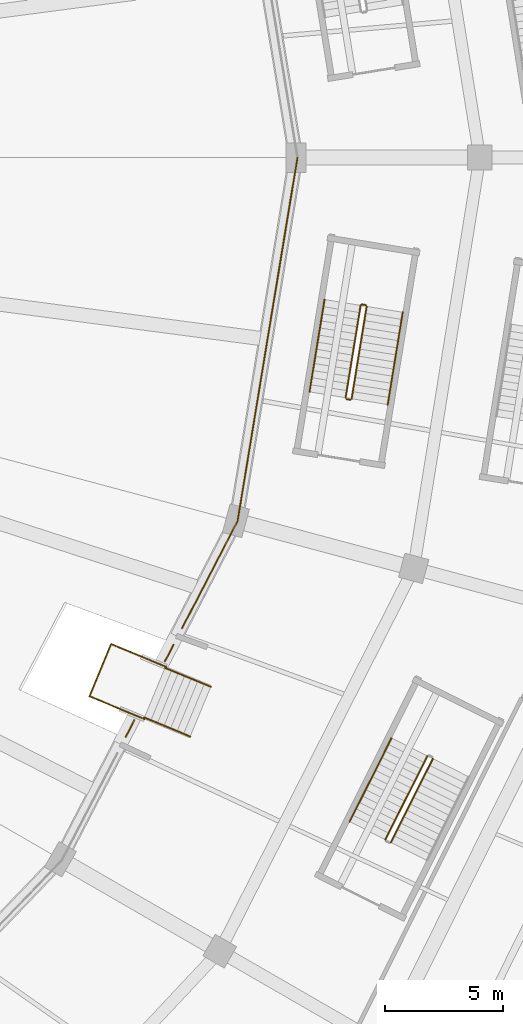
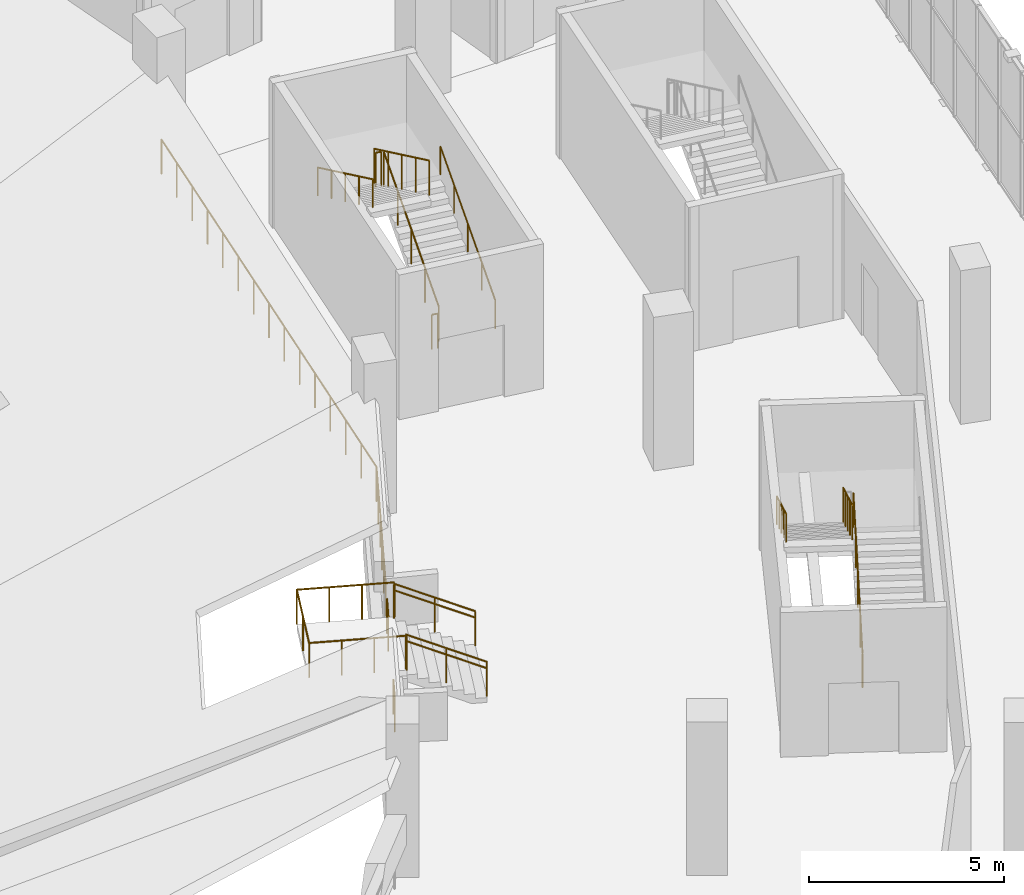
# One storey, part 152 of 183: 20 railings.
"""IFC4 building model written with IfcOpenShell, lengths in metres."""

from ifc_helpers import new_model, si_unit, direction, frame, origin, origin_2d, place, context, subcontext, project, spatial, circle, extrude, material, type_object, element, save


model = new_model("IFC4")

# Units and contexts
model_context = context("Model", 3, precision=1e-05, world=origin(), true_north=direction((0.0, 1.0)))
body_context = subcontext(model_context, "Body", "Model", "MODEL_VIEW")
ifc_project = project(units=[si_unit("LENGTHUNIT", "METRE"), si_unit("AREAUNIT", "SQUARE_METRE"), si_unit("VOLUMEUNIT", "CUBIC_METRE"), si_unit("PLANEANGLEUNIT", "RADIAN"), si_unit("MASSUNIT", "GRAM", prefix="KILO")], contexts=[model_context])

# Site, building, storey
site_placement = place(None, origin())
site = spatial("IfcSite", under=ifc_project, at=site_placement, CompositionType="ELEMENT")
building_placement = place(site_placement, origin())
building = spatial("IfcBuilding", under=site, at=building_placement, Name="Zevraka Park Crest Stadium", CompositionType="ELEMENT")
storey_placement = place(building_placement, frame((0.0, 0.0, 5.39990234375)))
storey = spatial("IfcBuildingStorey", under=building, at=storey_placement, Name="L01", CompositionType="ELEMENT", Elevation=5.39990234375)

# Railings
ifc_material_1 = material(Name="Galvanised and bronze-finished steel balustrade", Category="steel")
railing_type_1 = type_object("IfcRailingType", Name="GR01", PredefinedType="GUARDRAIL", material=ifc_material_1)
railing_1_placement = place(storey_placement, frame((179.2919921875, 67.446044921875, 0.0)))
element("IfcRailing", 1, at=railing_1_placement, inside=storey, type_object=railing_type_1, Name="Deck Edge Protection Guardrail GR01 L01-72", PredefinedType="GUARDRAIL", context=body_context, shape_type="SweptSolid", body=[
    extrude(circle(Radius=0.02392578125, at=origin_2d()), frame((0.0, 0.0, 1.076171875), z_axis=(0.46081061424, 0.887498494536, 0.0), x_axis=(-0.887498494536, 0.46081061424, 0.0)), (0.0, 0.0, 1.0), 0.794189453125),
    extrude(circle(Radius=0.02099609375, at=origin_2d()), origin(), (0.0, 0.0, 1.0), 1.052001953125),
    extrude(circle(Radius=0.02099609375, at=origin_2d()), frame((0.365966796875, 0.704833984375, 0.0)), (0.0, 0.0, 1.0), 1.052001953125),
])
railing_2_placement = place(storey_placement, frame((180.951904296875, 70.64599609375, 0.0)))
element("IfcRailing", 2, at=railing_2_placement, inside=storey, type_object=railing_type_1, Name="Deck Edge Protection Guardrail GR01 L01-73", PredefinedType="GUARDRAIL", context=body_context, shape_type="SweptSolid", body=[
    extrude(circle(Radius=0.02392578125, at=origin_2d()), frame((0.0, 0.0, 1.076171875), z_axis=(0.460380253087, 0.88772181598, 0.0), x_axis=(-0.88772181598, 0.460380253087, 0.0)), (0.0, 0.0, 1.0), 0.790771484375),
    extrude(circle(Radius=0.02099609375, at=origin_2d()), origin(), (0.0, 0.0, 1.0), 1.052001953125),
    extrude(circle(Radius=0.02099609375, at=origin_2d()), frame((0.364013671875, 0.701904296875, 0.0)), (0.0, 0.0, 1.0), 1.052001953125),
])
railing_3_placement = place(storey_placement, frame((181.677978515625, 72.0458984375, 0.0)))
element("IfcRailing", 3, at=railing_3_placement, inside=storey, type_object=railing_type_1, Name="Deck Edge Protection Guardrail GR01 L01-74", PredefinedType="GUARDRAIL", context=body_context, shape_type="SweptSolid", body=[
    extrude(circle(Radius=0.02392578125, at=origin_2d()), frame((0.0, 0.0, 1.076171875), z_axis=(0.459846182359, 0.887998585905, 0.0), x_axis=(-0.887998585905, 0.459846182359, 0.0)), (0.0, 0.0, 1.0), 5.11474609375),
    extrude(circle(Radius=0.02099609375, at=origin_2d()), origin(), (0.0, 0.0, 1.0), 1.052001953125),
    extrude(circle(Radius=0.02099609375, at=origin_2d()), frame((0.470458984375, 0.908447265625, 0.0)), (0.0, 0.0, 1.0), 1.052001953125),
    extrude(circle(Radius=0.02099609375, at=origin_2d()), frame((0.94091796875, 1.81689453125, 0.0)), (0.0, 0.0, 1.0), 1.052001953125),
    extrude(circle(Radius=0.02099609375, at=origin_2d()), frame((1.4111328125, 2.72509765625, 0.0)), (0.0, 0.0, 1.0), 1.052001953125),
    extrude(circle(Radius=0.02099609375, at=origin_2d()), frame((1.881591796875, 3.633544921875, 0.0)), (0.0, 0.0, 1.0), 1.052001953125),
    extrude(circle(Radius=0.02099609375, at=origin_2d()), frame((2.35205078125, 4.5419921875, 0.0)), (0.0, 0.0, 1.0), 1.052001953125),
])
railing_4_placement = place(storey_placement, frame((184.030029296875, 76.587890625, 0.0)))
element("IfcRailing", 4, at=railing_4_placement, inside=storey, type_object=railing_type_1, Name="Deck Edge Protection Guardrail GR01 L01-75", PredefinedType="GUARDRAIL", context=body_context, shape_type="SweptSolid", body=[
    extrude(circle(Radius=0.02392578125, at=origin_2d()), frame((0.0, 0.0, 1.076171875), z_axis=(0.162583586592, 0.986694774168, 0.0), x_axis=(-0.986694774168, 0.162583586592, 0.0)), (0.0, 0.0, 1.0), 15.616943359375),
    extrude(circle(Radius=0.02099609375, at=origin_2d()), origin(), (0.0, 0.0, 1.0), 1.052001953125),
    extrude(circle(Radius=0.02099609375, at=origin_2d()), frame((0.181396484375, 1.1005859375, 0.0)), (0.0, 0.0, 1.0), 1.052001953125),
    extrude(circle(Radius=0.02099609375, at=origin_2d()), frame((0.36279296875, 2.201416015625, 0.0)), (0.0, 0.0, 1.0), 1.052001953125),
    extrude(circle(Radius=0.02099609375, at=origin_2d()), frame((0.544189453125, 3.302001953125, 0.0)), (0.0, 0.0, 1.0), 1.052001953125),
    extrude(circle(Radius=0.02099609375, at=origin_2d()), frame((0.725341796875, 4.402587890625, 0.0)), (0.0, 0.0, 1.0), 1.052001953125),
    extrude(circle(Radius=0.02099609375, at=origin_2d()), frame((0.90673828125, 5.503173828125, 0.0)), (0.0, 0.0, 1.0), 1.052001953125),
    extrude(circle(Radius=0.02099609375, at=origin_2d()), frame((1.088134765625, 6.60400390625, 0.0)), (0.0, 0.0, 1.0), 1.052001953125),
    extrude(circle(Radius=0.02099609375, at=origin_2d()), frame((1.26953125, 7.70458984375, 0.0)), (0.0, 0.0, 1.0), 1.052001953125),
    extrude(circle(Radius=0.02099609375, at=origin_2d()), frame((1.450927734375, 8.80517578125, 0.0)), (0.0, 0.0, 1.0), 1.052001953125),
    extrude(circle(Radius=0.02099609375, at=origin_2d()), frame((1.63232421875, 9.906005859375, 0.0)), (0.0, 0.0, 1.0), 1.052001953125),
    extrude(circle(Radius=0.02099609375, at=origin_2d()), frame((1.813720703125, 11.006591796875, 0.0)), (0.0, 0.0, 1.0), 1.052001953125),
    extrude(circle(Radius=0.02099609375, at=origin_2d()), frame((1.994873046875, 12.107177734375, 0.0)), (0.0, 0.0, 1.0), 1.052001953125),
    extrude(circle(Radius=0.02099609375, at=origin_2d()), frame((2.17626953125, 13.207763671875, 0.0)), (0.0, 0.0, 1.0), 1.052001953125),
    extrude(circle(Radius=0.02099609375, at=origin_2d()), frame((2.357666015625, 14.30859375, 0.0)), (0.0, 0.0, 1.0), 1.052001953125),
    extrude(circle(Radius=0.02099609375, at=origin_2d()), frame((2.5390625, 15.4091796875, 0.0)), (0.0, 0.0, 1.0), 1.052001953125),
])
ifc_material_2 = material(Name="Powder-coated tubular steel stairwell guard", Category="steel")
railing_type_2 = type_object("IfcRailingType", Name="GR03", PredefinedType="GUARDRAIL", material=ifc_material_2)
railing_5_placement = place(storey_placement, frame((190.5322265625, 62.965087890625, 0.171630859375)))
element("IfcRailing", 5, at=railing_5_placement, inside=storey, type_object=railing_type_2, Name="L01 ST23 stair guard 1", PredefinedType="GUARDRAIL", context=body_context, shape_type="SweptSolid", body=[
    extrude(circle(Radius=0.02392578125, at=origin_2d()), frame((0.0, 0.0, 1.076171875), z_axis=(0.39045397791, 0.779404971028, 0.489973042393), x_axis=(-0.894082100069, 0.447903112666, 0.0)), (0.0, 0.0, 1.0), 4.54833984375),
    extrude(circle(Radius=0.02099609375, at=origin_2d()), origin(), (0.0, 0.0, 1.0), 1.052001953125),
    extrude(circle(Radius=0.02099609375, at=origin_2d()), frame((0.44384765625, 0.88623046875, 0.55712890625)), (0.0, 0.0, 1.0), 1.052001953125),
    extrude(circle(Radius=0.02099609375, at=origin_2d()), frame((0.887939453125, 1.7724609375, 1.1142578125)), (0.0, 0.0, 1.0), 1.052001953125),
    extrude(circle(Radius=0.02099609375, at=origin_2d()), frame((1.33203125, 2.65869140625, 1.67138671875)), (0.0, 0.0, 1.0), 1.052001953125),
    extrude(circle(Radius=0.02099609375, at=origin_2d()), frame((1.77587890625, 3.544921875, 2.228515625)), (0.0, 0.0, 1.0), 1.052001953125),
])
railing_6_placement = place(storey_placement, frame((192.07568359375, 66.62646484375, 2.571533203125)))
element("IfcRailing", 6, at=railing_6_placement, inside=storey, type_object=railing_type_2, Name="L01 ST23 stair guard 3", PredefinedType="GUARDRAIL", context=body_context, shape_type="SweptSolid", body=[
    extrude(circle(Radius=0.02392578125, at=origin_2d()), frame((0.0, 0.0, 1.076171875), z_axis=(-0.39045397791, -0.779404971028, 0.489973042393), x_axis=(0.894082100069, -0.447903112666, 0.0)), (0.0, 0.0, 1.0), 4.54833984375),
    extrude(circle(Radius=0.02099609375, at=origin_2d()), origin(), (0.0, 0.0, 1.0), 1.052001953125),
    extrude(circle(Radius=0.02099609375, at=origin_2d()), frame((-0.44384765625, -0.88623046875, 0.55712890625)), (0.0, 0.0, 1.0), 1.052001953125),
    extrude(circle(Radius=0.02099609375, at=origin_2d()), frame((-0.887939453125, -1.7724609375, 1.1142578125)), (0.0, 0.0, 1.0), 1.052001953125),
    extrude(circle(Radius=0.02099609375, at=origin_2d()), frame((-1.33203125, -2.65869140625, 1.67138671875)), (0.0, 0.0, 1.0), 1.052001953125),
    extrude(circle(Radius=0.02099609375, at=origin_2d()), frame((-1.77587890625, -3.544921875, 2.228515625)), (0.0, 0.0, 1.0), 1.052001953125),
])
railing_7_placement = place(storey_placement, frame((188.866455078125, 81.775390625, 0.171630859375)))
element("IfcRailing", 7, at=railing_7_placement, inside=storey, type_object=railing_type_2, Name="L01 ST44 stair guard 1", PredefinedType="GUARDRAIL", context=body_context, shape_type="SweptSolid", body=[
    extrude(circle(Radius=0.02392578125, at=origin_2d()), frame((0.0, 0.0, 1.076171875), z_axis=(0.140099761866, 0.860405778907, 0.489973420043), x_axis=(-0.987001137569, 0.160713267768, 0.0)), (0.0, 0.0, 1.0), 4.54833984375),
    extrude(circle(Radius=0.02099609375, at=origin_2d()), origin(), (0.0, 0.0, 1.0), 1.052001953125),
    extrude(circle(Radius=0.02099609375, at=origin_2d()), frame((0.1591796875, 0.978271484375, 0.55712890625)), (0.0, 0.0, 1.0), 1.052001953125),
    extrude(circle(Radius=0.02099609375, at=origin_2d()), frame((0.318603515625, 1.95654296875, 1.1142578125)), (0.0, 0.0, 1.0), 1.052001953125),
    extrude(circle(Radius=0.02099609375, at=origin_2d()), frame((0.47802734375, 2.93505859375, 1.67138671875)), (0.0, 0.0, 1.0), 1.052001953125),
    extrude(circle(Radius=0.02099609375, at=origin_2d()), frame((0.63720703125, 3.913330078125, 2.228515625)), (0.0, 0.0, 1.0), 1.052001953125),
])
railing_8_placement = place(storey_placement, frame((189.46240234375, 85.74609375, 2.400146484375)))
element("IfcRailing", 8, at=railing_8_placement, inside=storey, type_object=railing_type_2, Name="L01 ST44 stair guard 2", PredefinedType="GUARDRAIL", context=body_context, shape_type="SweptSolid", body=[
    extrude(circle(Radius=0.02392578125, at=origin_2d()), frame((0.0, 0.0, 1.076171875), z_axis=(-0.987085924886, 0.160191687964, 0.0), x_axis=(-0.160191687964, -0.987085924886, 0.0)), (0.0, 0.0, 1.0), 0.159912109375),
    extrude(circle(Radius=0.02099609375, at=origin_2d()), origin(), (0.0, 0.0, 1.0), 1.052001953125),
    extrude(circle(Radius=0.02099609375, at=origin_2d()), frame((-0.157958984375, 0.025634765625, 0.0)), (0.0, 0.0, 1.0), 1.052001953125),
])
railing_9_placement = place(storey_placement, frame((189.2470703125, 85.73046875, 2.571533203125)))
element("IfcRailing", 9, at=railing_9_placement, inside=storey, type_object=railing_type_2, Name="L01 ST44 stair guard 3", PredefinedType="GUARDRAIL", context=body_context, shape_type="SweptSolid", body=[
    extrude(circle(Radius=0.02392578125, at=origin_2d()), frame((0.0, 0.0, 1.076171875), z_axis=(-0.140099761866, -0.860405778907, 0.489973420043), x_axis=(0.987001137569, -0.160713267768, 0.0)), (0.0, 0.0, 1.0), 4.54833984375),
    extrude(circle(Radius=0.02099609375, at=origin_2d()), origin(), (0.0, 0.0, 1.0), 1.052001953125),
    extrude(circle(Radius=0.02099609375, at=origin_2d()), frame((-0.1591796875, -0.978271484375, 0.55712890625)), (0.0, 0.0, 1.0), 1.052001953125),
    extrude(circle(Radius=0.02099609375, at=origin_2d()), frame((-0.318603515625, -1.95654296875, 1.1142578125)), (0.0, 0.0, 1.0), 1.052001953125),
    extrude(circle(Radius=0.02099609375, at=origin_2d()), frame((-0.47802734375, -2.93505859375, 1.67138671875)), (0.0, 0.0, 1.0), 1.052001953125),
    extrude(circle(Radius=0.02099609375, at=origin_2d()), frame((-0.63720703125, -3.913330078125, 2.228515625)), (0.0, 0.0, 1.0), 1.052001953125),
])
railing_10_placement = place(storey_placement, frame((188.80908203125, 81.73388671875, 0.0)))
element("IfcRailing", 10, at=railing_10_placement, inside=storey, type_object=railing_type_2, Name="L01 ST44 stair guard 4", PredefinedType="GUARDRAIL", context=body_context, shape_type="SweptSolid", body=[
    extrude(circle(Radius=0.02392578125, at=origin_2d()), frame((0.0, 0.0, 1.076171875), z_axis=(-0.986843627435, 0.161677626751, 0.0), x_axis=(-0.161677626751, -0.986843627435, 0.0)), (0.0, 0.0, 1.0), 0.16015625),
    extrude(circle(Radius=0.02099609375, at=origin_2d()), origin(), (0.0, 0.0, 1.0), 1.052001953125),
    extrude(circle(Radius=0.02099609375, at=origin_2d()), frame((-0.157958984375, 0.02587890625, 0.0)), (0.0, 0.0, 1.0), 1.052001953125),
])
railing_11_placement = place(storey_placement, frame((182.89306640625, 69.56005859375, 0.150146484375)))
element("IfcRailing", 11, at=railing_11_placement, inside=storey, type_object=railing_type_2, Name="Vomitory Flight Guard VS-08-1", PredefinedType="GUARDRAIL", context=body_context, shape_type="SweptSolid", body=[
    extrude(circle(Radius=0.02392578125, at=origin_2d()), frame((0.0, 0.0, 1.076171875), z_axis=(-0.826301957019, 0.342394909332, 0.447203311582), x_axis=(-0.382806945527, -0.923828362011, 0.0)), (0.0, 0.0, 1.0), 2.34814453125),
    extrude(circle(Radius=0.02099609375, at=origin_2d()), origin(), (0.0, 0.0, 1.0), 1.052001953125),
    extrude(circle(Radius=0.02099609375, at=origin_2d()), frame((-0.97021484375, 0.40185546875, 0.52490234375)), (0.0, 0.0, 1.0), 1.052001953125),
    extrude(circle(Radius=0.02099609375, at=origin_2d()), frame((-1.940185546875, 0.803955078125, 1.050048828125)), (0.0, 0.0, 1.0), 1.052001953125),
])
railing_12_placement = place(storey_placement, frame((182.02099609375, 67.4541015625, 0.150146484375)))
element("IfcRailing", 12, at=railing_12_placement, inside=storey, type_object=railing_type_2, Name="Vomitory Flight Guard VS-08-2", PredefinedType="GUARDRAIL", context=body_context, shape_type="SweptSolid", body=[
    extrude(circle(Radius=0.02392578125, at=origin_2d()), frame((0.0, 0.0, 1.076171875), z_axis=(-0.826386606837, 0.342057079019, 0.447305411025), x_axis=(-0.382451072807, -0.923975744762, 0.0)), (0.0, 0.0, 1.0), 2.347412109375),
    extrude(circle(Radius=0.02099609375, at=origin_2d()), origin(), (0.0, 0.0, 1.0), 1.052001953125),
    extrude(circle(Radius=0.02099609375, at=origin_2d()), frame((-0.969970703125, 0.4013671875, 0.52490234375)), (0.0, 0.0, 1.0), 1.052001953125),
    extrude(circle(Radius=0.02099609375, at=origin_2d()), frame((-1.93994140625, 0.802978515625, 1.050048828125)), (0.0, 0.0, 1.0), 1.052001953125),
])
railing_13_placement = place(storey_placement, frame((180.9990234375, 70.409912109375, 1.2001953125)))
element("IfcRailing", 13, at=railing_13_placement, inside=storey, type_object=railing_type_2, Name="Vomitory Landing Guard VS-08-1", PredefinedType="GUARDRAIL", context=body_context, shape_type="SweptSolid", body=[
    extrude(circle(Radius=0.02392578125, at=origin_2d()), frame((0.0, 0.0, 1.076171875), z_axis=(-0.923921394748, 0.382582352346, 0.0), x_axis=(-0.382582352346, -0.923921394748, 0.0)), (0.0, 0.0, 1.0), 2.525146484375),
    extrude(circle(Radius=0.02099609375, at=origin_2d()), origin(), (0.0, 0.0, 1.0), 1.052001953125),
    extrude(circle(Radius=0.02099609375, at=origin_2d()), frame((-0.777587890625, 0.322021484375, 0.0)), (0.0, 0.0, 1.0), 1.052001953125),
    extrude(circle(Radius=0.02099609375, at=origin_2d()), frame((-1.555419921875, 0.64404296875, 0.0)), (0.0, 0.0, 1.0), 1.052001953125),
    extrude(circle(Radius=0.02099609375, at=origin_2d()), frame((-2.3330078125, 0.966064453125, 0.0)), (0.0, 0.0, 1.0), 1.052001953125),
])
railing_14_placement = place(storey_placement, frame((178.666015625, 71.3759765625, 1.2001953125)))
element("IfcRailing", 14, at=railing_14_placement, inside=storey, type_object=railing_type_2, Name="Vomitory Landing Guard VS-08-2", PredefinedType="GUARDRAIL", context=body_context, shape_type="SweptSolid", body=[
    extrude(circle(Radius=0.02392578125, at=origin_2d()), frame((0.0, 0.0, 1.076171875), z_axis=(-0.382555476978, -0.923932522988, 0.0), x_axis=(0.923932522988, -0.382555476978, 0.0)), (0.0, 0.0, 1.0), 2.399658203125),
    extrude(circle(Radius=0.02099609375, at=origin_2d()), origin(), (0.0, 0.0, 1.0), 1.052001953125),
    extrude(circle(Radius=0.02099609375, at=origin_2d()), frame((-0.458984375, -1.1083984375, 0.0)), (0.0, 0.0, 1.0), 1.052001953125),
    extrude(circle(Radius=0.02099609375, at=origin_2d()), frame((-0.91796875, -2.217041015625, 0.0)), (0.0, 0.0, 1.0), 1.052001953125),
])
railing_15_placement = place(storey_placement, frame((177.748046875, 69.158935546875, 1.2001953125)))
element("IfcRailing", 15, at=railing_15_placement, inside=storey, type_object=railing_type_2, Name="Vomitory Landing Guard VS-08-3", PredefinedType="GUARDRAIL", context=body_context, shape_type="SweptSolid", body=[
    extrude(circle(Radius=0.02392578125, at=origin_2d()), frame((0.0, 0.0, 1.076171875), z_axis=(0.923784652769, -0.382912412057, 0.0), x_axis=(0.382912412057, 0.923784652769, 0.0)), (0.0, 0.0, 1.0), 2.525390625),
    extrude(circle(Radius=0.02099609375, at=origin_2d()), origin(), (0.0, 0.0, 1.0), 1.052001953125),
    extrude(circle(Radius=0.02099609375, at=origin_2d()), frame((0.777587890625, -0.322265625, 0.0)), (0.0, 0.0, 1.0), 1.052001953125),
    extrude(circle(Radius=0.02099609375, at=origin_2d()), frame((1.555419921875, -0.644775390625, 0.0)), (0.0, 0.0, 1.0), 1.052001953125),
    extrude(circle(Radius=0.02099609375, at=origin_2d()), frame((2.3330078125, -0.967041015625, 0.0)), (0.0, 0.0, 1.0), 1.052001953125),
])
ifc_material_3 = material(Name="Brushed stainless steel continuous handrail", Category="steel")
railing_type_3 = type_object("IfcRailingType", Name="HR01", PredefinedType="HANDRAIL", material=ifc_material_3)
railing_16_placement = place(storey_placement, frame((190.5556640625, 67.387939453125, 2.571533203125)))
element("IfcRailing", 16, at=railing_16_placement, inside=storey, type_object=railing_type_3, Name="L01 ST23 stair handrail 2", PredefinedType="HANDRAIL", context=body_context, shape_type="SweptSolid", body=[
    extrude(circle(Radius=0.02392578125, at=origin_2d()), frame((0.0, 0.0, 0.8759765625), z_axis=(-0.39045397791, -0.779404971028, 0.489973042393), x_axis=(0.894082100069, -0.447903112666, 0.0)), (0.0, 0.0, 1.0), 4.54833984375),
    extrude(circle(Radius=0.02099609375, at=origin_2d()), origin(), (0.0, 0.0, 1.0), 0.851806640625),
    extrude(circle(Radius=0.02099609375, at=origin_2d()), frame((-0.44384765625, -0.88623046875, 0.55712890625)), (0.0, 0.0, 1.0), 0.851806640625),
    extrude(circle(Radius=0.02099609375, at=origin_2d()), frame((-0.887939453125, -1.7724609375, 1.1142578125)), (0.0, 0.0, 1.0), 0.851806640625),
    extrude(circle(Radius=0.02099609375, at=origin_2d()), frame((-1.33203125, -2.65869140625, 1.67138671875)), (0.0, 0.0, 1.0), 0.851806640625),
    extrude(circle(Radius=0.02099609375, at=origin_2d()), frame((-1.77587890625, -3.544921875, 2.228515625)), (0.0, 0.0, 1.0), 0.851806640625),
])
railing_17_placement = place(storey_placement, frame((190.396484375, 81.526123046875, 0.171630859375)))
element("IfcRailing", 17, at=railing_17_placement, inside=storey, type_object=railing_type_3, Name="L01 ST44 stair handrail 1", PredefinedType="HANDRAIL", context=body_context, shape_type="SweptSolid", body=[
    extrude(circle(Radius=0.02392578125, at=origin_2d()), frame((0.0, 0.0, 0.8759765625), z_axis=(0.140093291616, 0.860419718238, 0.489950791521), x_axis=(-0.987002727855, 0.160703500917, 0.0)), (0.0, 0.0, 1.0), 4.54833984375),
    extrude(circle(Radius=0.02099609375, at=origin_2d()), origin(), (0.0, 0.0, 1.0), 0.851806640625),
    extrude(circle(Radius=0.02099609375, at=origin_2d()), frame((0.1591796875, 0.978515625, 0.55712890625)), (0.0, 0.0, 1.0), 0.851806640625),
    extrude(circle(Radius=0.02099609375, at=origin_2d()), frame((0.318603515625, 1.956787109375, 1.1142578125)), (0.0, 0.0, 1.0), 0.851806640625),
    extrude(circle(Radius=0.02099609375, at=origin_2d()), frame((0.47802734375, 2.93505859375, 1.67138671875)), (0.0, 0.0, 1.0), 0.851806640625),
    extrude(circle(Radius=0.02099609375, at=origin_2d()), frame((0.63720703125, 3.91357421875, 2.228515625)), (0.0, 0.0, 1.0), 0.851806640625),
])
railing_18_placement = place(storey_placement, frame((187.71728515625, 85.979736328125, 2.571533203125)))
element("IfcRailing", 18, at=railing_18_placement, inside=storey, type_object=railing_type_3, Name="L01 ST44 stair handrail 2", PredefinedType="HANDRAIL", context=body_context, shape_type="SweptSolid", body=[
    extrude(circle(Radius=0.02392578125, at=origin_2d()), frame((0.0, 0.0, 0.8759765625), z_axis=(-0.140093291616, -0.860419718238, 0.489950791521), x_axis=(0.987002727855, -0.160703500917, 0.0)), (0.0, 0.0, 1.0), 4.54833984375),
    extrude(circle(Radius=0.02099609375, at=origin_2d()), origin(), (0.0, 0.0, 1.0), 0.851806640625),
    extrude(circle(Radius=0.02099609375, at=origin_2d()), frame((-0.1591796875, -0.978515625, 0.55712890625)), (0.0, 0.0, 1.0), 0.851806640625),
    extrude(circle(Radius=0.02099609375, at=origin_2d()), frame((-0.318603515625, -1.956787109375, 1.1142578125)), (0.0, 0.0, 1.0), 0.851806640625),
    extrude(circle(Radius=0.02099609375, at=origin_2d()), frame((-0.47802734375, -2.93505859375, 1.67138671875)), (0.0, 0.0, 1.0), 0.851806640625),
    extrude(circle(Radius=0.02099609375, at=origin_2d()), frame((-0.63720703125, -3.91357421875, 2.228515625)), (0.0, 0.0, 1.0), 0.851806640625),
])
railing_19_placement = place(storey_placement, frame((182.89306640625, 69.56005859375, 0.150146484375)))
element("IfcRailing", 19, at=railing_19_placement, inside=storey, type_object=railing_type_3, Name="Vomitory Handrail VS-08-1", PredefinedType="HANDRAIL", context=body_context, shape_type="SweptSolid", body=[
    extrude(circle(Radius=0.02392578125, at=origin_2d()), frame((0.0, 0.0, 0.8759765625), z_axis=(-0.826301957019, 0.342394909332, 0.447203311582), x_axis=(-0.382806945527, -0.923828362011, 0.0)), (0.0, 0.0, 1.0), 2.34814453125),
    extrude(circle(Radius=0.02099609375, at=origin_2d()), origin(), (0.0, 0.0, 1.0), 0.851806640625),
    extrude(circle(Radius=0.02099609375, at=origin_2d()), frame((-0.97021484375, 0.40185546875, 0.52490234375)), (0.0, 0.0, 1.0), 0.851806640625),
    extrude(circle(Radius=0.02099609375, at=origin_2d()), frame((-1.940185546875, 0.803955078125, 1.050048828125)), (0.0, 0.0, 1.0), 0.851806640625),
])
railing_20_placement = place(storey_placement, frame((182.02099609375, 67.4541015625, 0.150146484375)))
element("IfcRailing", 20, at=railing_20_placement, inside=storey, type_object=railing_type_3, Name="Vomitory Handrail VS-08-2", PredefinedType="HANDRAIL", context=body_context, shape_type="SweptSolid", body=[
    extrude(circle(Radius=0.02392578125, at=origin_2d()), frame((0.0, 0.0, 0.8759765625), z_axis=(-0.826386606837, 0.342057079019, 0.447305411025), x_axis=(-0.382451072807, -0.923975744762, 0.0)), (0.0, 0.0, 1.0), 2.347412109375),
    extrude(circle(Radius=0.02099609375, at=origin_2d()), origin(), (0.0, 0.0, 1.0), 0.851806640625),
    extrude(circle(Radius=0.02099609375, at=origin_2d()), frame((-0.969970703125, 0.4013671875, 0.52490234375)), (0.0, 0.0, 1.0), 0.851806640625),
    extrude(circle(Radius=0.02099609375, at=origin_2d()), frame((-1.93994140625, 0.802978515625, 1.050048828125)), (0.0, 0.0, 1.0), 0.851806640625),
])

save(model, "model.ifc")
